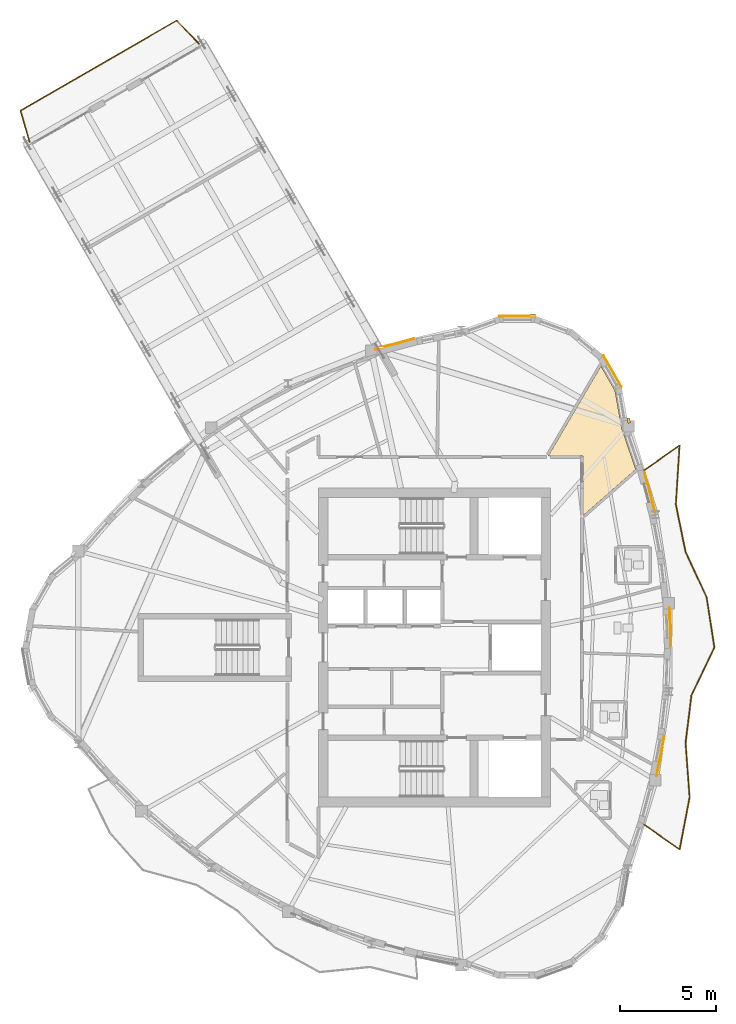
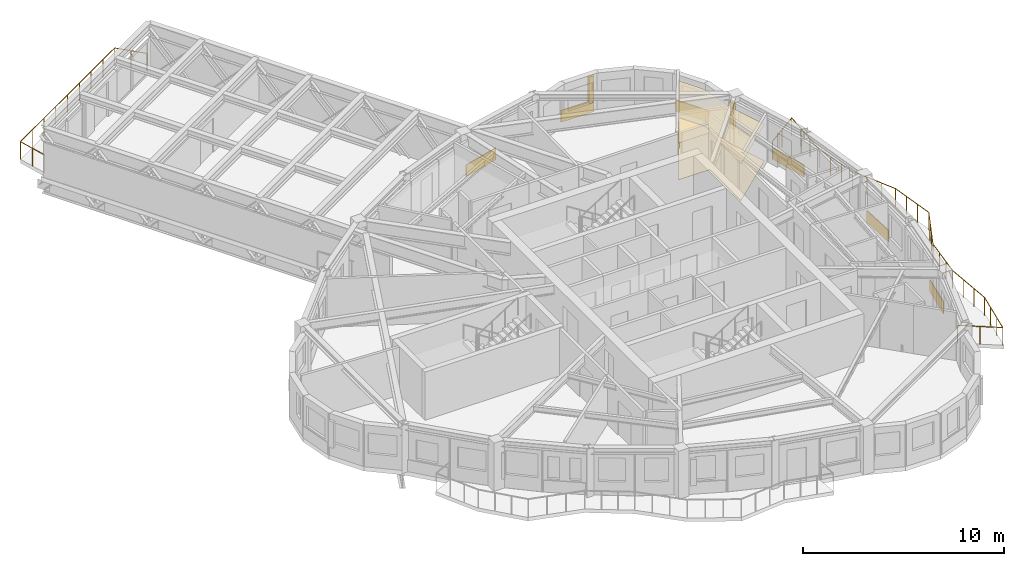
# One storey, part 13 of 14: 8 coverings, 2 railings, 2 shading devices.
"""IFC4 building model written with IfcOpenShell, lengths in metres."""

from ifc_helpers import new_model, si_unit, direction, frame, origin, origin_2d, place, context, subcontext, project, spatial, polyline, rectangle, circle, outline, extrude, source, transform, mapped, material, layer, layer_set, type_object, element, save


model = new_model("IFC4")

# Units and contexts
model_context = context("Model", 3, precision=1e-05, world=origin(), true_north=direction((0.0, 1.0)))
body_context = subcontext(model_context, "Body", "Model", "MODEL_VIEW")
ifc_project = project(units=[si_unit("LENGTHUNIT", "METRE"), si_unit("AREAUNIT", "SQUARE_METRE"), si_unit("VOLUMEUNIT", "CUBIC_METRE"), si_unit("PLANEANGLEUNIT", "RADIAN"), si_unit("MASSUNIT", "GRAM", prefix="KILO")], contexts=[model_context])

# Site, building, storey
site_placement = place(None, origin())
site = spatial("IfcSite", under=ifc_project, at=site_placement, CompositionType="ELEMENT")
building_placement = place(site_placement, origin())
building = spatial("IfcBuilding", under=site, at=building_placement, Name="Qafzar Sky-Pleat Residences", CompositionType="ELEMENT")
storey_placement = place(building_placement, frame((0.0, 0.0, 205.199951171875)))
storey = spatial("IfcBuildingStorey", under=building, at=storey_placement, Name="L61", CompositionType="ELEMENT", Elevation=205.199951171875)

# Coverings
ifc_material_1 = material(Name="Perforated acoustic gypsum board ceiling")
ifc_layer_1 = layer(ifc_material_1, 0.02001953125)
ifc_layer_set_1 = layer_set([ifc_layer_1], Name="Perforated acoustic gypsum board ceiling")
covering_type_1 = type_object("IfcCoveringType", Name="COV-CEIL-ACOUSTIC", PredefinedType="CEILING", material=ifc_layer_set_1)
covering_1_placement = place(storey_placement, frame((0.0, 0.0, 2.239990234375)))
element("IfcCovering", 1, at=covering_1_placement, inside=storey, type_object=covering_type_1, Name="L61 Communal Kitchen Acoustic Ceiling", PredefinedType="CEILING", context=body_context, shape_type="SweptSolid", body=[
    extrude(outline(polyline([(39.74951171875, 39.377685546875), (40.093017578125, 37.429931640625), (40.830810546875, 35.273193359375), (38.080078125, 32.860107421875), (38.080078125, 35.97998046875), (36.27490234375, 35.97998046875), (39.014892578125, 40.650390625), (39.74951171875, 39.377685546875)])), origin(), (0.0, 0.0, 1.0), 0.02001953125),
])
ifc_material_2 = material(Name="Honed porcelain and Riyadh stone tile flooring", Category="masonry")
ifc_layer_2 = layer(ifc_material_2, 0.02001953125)
ifc_layer_set_2 = layer_set([ifc_layer_2], Name="Honed porcelain and Riyadh stone tile flooring")
covering_type_2 = type_object("IfcCoveringType", Name="COV-FLR-PORCELAIN", PredefinedType="FLOORING", material=ifc_layer_set_2)
covering_2_placement = place(storey_placement, origin())
element("IfcCovering", 2, at=covering_2_placement, inside=storey, type_object=covering_type_2, Name="L61 Communal Kitchen Honed Stone Flooring", PredefinedType="FLOORING", context=body_context, shape_type="SweptSolid", body=[
    extrude(outline(polyline([(39.74951171875, 39.377685546875), (40.093017578125, 37.429931640625), (40.830810546875, 35.273193359375), (38.080078125, 32.860107421875), (38.080078125, 35.97998046875), (36.27490234375, 35.97998046875), (39.014892578125, 40.650390625), (39.74951171875, 39.377685546875)])), origin(), (0.0, 0.0, 1.0), 0.02001953125),
])

# Shading devices
ifc_material_3 = material(Name="Honed Riyadh limestone solar fin", Category="masonry")
ifc_layer_3 = layer(ifc_material_3, 0.139892578125)
ifc_layer_set_3 = layer_set([ifc_layer_3], Name="Honed Riyadh limestone solar fin")
shading_device_type = type_object("IfcShadingDeviceType", Name="SHD-FIN-STONE", PredefinedType="SHUTTER", material=ifc_layer_set_3)
shared_shape_1 = source(origin(), body_context, "Body", "SweptSolid", [
    extrude(rectangle(XDim=0.139892578125, YDim=0.280029296875, at=origin_2d()), origin(), (0.0, 0.0, 1.0), 1.60009765625),
])
for number, where, z_axis, x_axis, name in (
    (3, (40.466796875, 37.815673828125, 0.60009765625), (0.0, 0.0, 1.0), (0.984806040716, 0.173657888303, 0.0), "L61 Limestone Solar Fin 33"),
    (4, (35.45751953125, 43.29931640625, 0.60009765625), (0.0, 0.0, 1.0), (0.0, 1.0, 0.0), "L61 Limestone Solar Fin 37"),
):
    element("IfcShadingDevice", number, at=place(storey_placement, frame(where, z_axis=z_axis, x_axis=x_axis)), inside=storey, type_object=shading_device_type, Name=name, PredefinedType="SHUTTER", context=body_context, shape_type="MappedRepresentation", body=[
        mapped(shared_shape_1, transform((0.0, 0.0, 0.0), x_axis=(1.0, 0.0, 0.0), y_axis=(0.0, 1.0, 0.0), z_axis=(0.0, 0.0, 1.0), scale=1.0)),
    ])

# Coverings
ifc_material_4 = material(Name="Honed Riyadh Tuwaiq limestone cladding", Category="masonry")
ifc_layer_4 = layer(ifc_material_4, 0.044921875)
ifc_layer_set_4 = layer_set([ifc_layer_4], Name="Honed Riyadh Tuwaiq limestone cladding")
covering_type_3 = type_object("IfcCoveringType", Name="COV-CLAD-STONE", PredefinedType="CLADDING", material=ifc_layer_set_4)
shared_shape_2 = source(origin(), body_context, "Body", "SweptSolid", [
    extrude(rectangle(XDim=1.88134765625, YDim=0.044921875, at=origin_2d()), origin(), (0.0, 0.0, 1.0), 0.719970703125),
])
covering_3_placement = place(storey_placement, frame((34.652587890625, 43.25634765625, 0.02001953125), z_axis=(0.0, 0.0, 1.0), x_axis=(-1.0, 0.0, 0.0)))
element("IfcCovering", 5, at=covering_3_placement, inside=storey, type_object=covering_type_3, Name="L61 Riyadh Limestone Spandrel Cladding 37", PredefinedType="CLADDING", context=body_context, shape_type="MappedRepresentation", body=[
    mapped(shared_shape_2, transform((0.0, 0.0, 0.0), x_axis=(1.0, 0.0, 0.0), y_axis=(0.0, 1.0, 0.0), z_axis=(0.0, 0.0, 1.0), scale=1.0)),
])
shared_shape_3 = source(origin(), body_context, "Body", "SweptSolid", [
    extrude(rectangle(XDim=1.881103515625, YDim=0.044921875, at=origin_2d()), origin(), (0.0, 0.0, 1.0), 0.719970703125),
])
covering_4_placement = place(storey_placement, frame((39.6181640625, 40.389404296875, 0.02001953125), z_axis=(0.0, 0.0, 1.0), x_axis=(-0.499993018474, 0.866029434533, 0.0)))
element("IfcCovering", 6, at=covering_4_placement, inside=storey, type_object=covering_type_3, Name="L61 Riyadh Limestone Spandrel Cladding 34", PredefinedType="CLADDING", context=body_context, shape_type="MappedRepresentation", body=[
    mapped(shared_shape_3, transform((0.0, 0.0, 0.0), x_axis=(1.0, 0.0, 0.0), y_axis=(0.0, 1.0, 0.0), z_axis=(0.0, 0.0, 1.0), scale=1.0)),
])

# Railing
ifc_material_5 = material(Name="Laminated glass and bronze steel balustrade", Category="steel")
railing_type = type_object("IfcRailingType", Name="RAIL-BAL-1100", PredefinedType="BALUSTRADE", material=ifc_material_5)
shared_shape_4 = source(origin(), body_context, "Body", "SweptSolid", [
    extrude(circle(Radius=0.02392578125, at=origin_2d()), frame((0.0, 0.0, 1.076171875), z_axis=(0.820699148527, -0.571360575825, 0.0), x_axis=(0.571360575825, 0.820699148527, 0.0)), (0.0, 0.0, 1.0), 2.270751953125),
    extrude(circle(Radius=0.02392578125, at=origin_2d()), frame((1.863525390625, -1.29736328125, 1.076171875), z_axis=(0.187853347228, 0.982197088132, 0.0), x_axis=(-0.982197088132, 0.187853347228, 0.0)), (0.0, 0.0, 1.0), 2.76953125),
    extrude(circle(Radius=0.02392578125, at=origin_2d()), frame((2.3837890625, 1.4228515625, 1.076171875), z_axis=(-0.074134926402, 0.997248220198, 0.0), x_axis=(-0.997248220198, -0.074134926402, 0.0)), (0.0, 0.0, 1.0), 2.83544921875),
    extrude(circle(Radius=0.02392578125, at=origin_2d()), frame((2.173583984375, 4.25048828125, 1.076171875), z_axis=(0.122041359786, 0.992525015555, 0.0), x_axis=(-0.992525015555, 0.122041359786, 0.0)), (0.0, 0.0, 1.0), 2.502685546875),
    extrude(circle(Radius=0.02392578125, at=origin_2d()), frame((2.47900390625, 6.734375, 1.076171875), z_axis=(0.43262475459, 0.901574079994, 0.0), x_axis=(-0.901574079994, 0.43262475459, 0.0)), (0.0, 0.0, 1.0), 2.762451171875),
    extrude(circle(Radius=0.02392578125, at=origin_2d()), frame((3.674072265625, 9.224853515625, 1.076171875), z_axis=(-0.152930452608, 0.988236953703, 0.0), x_axis=(-0.988236953703, -0.152930452608, 0.0)), (0.0, 0.0, 1.0), 2.64697265625),
    extrude(circle(Radius=0.02392578125, at=origin_2d()), frame((3.269287109375, 11.840576171875, 1.076171875), z_axis=(-0.421307122225, 0.906918027587, 0.0), x_axis=(-0.906918027587, -0.421307122225, 0.0)), (0.0, 0.0, 1.0), 2.600830078125),
    extrude(circle(Radius=0.02392578125, at=origin_2d()), frame((2.173583984375, 14.19921875, 1.076171875), z_axis=(-0.200508172089, 0.979692029633, 0.0), x_axis=(-0.979692029633, -0.200508172089, 0.0)), (0.0, 0.0, 1.0), 2.521728515625),
    extrude(circle(Radius=0.02392578125, at=origin_2d()), frame((1.66796875, 16.669677734375, 1.076171875), z_axis=(0.06341829545, 0.997987033885, 0.0), x_axis=(-0.997987033885, 0.06341829545, 0.0)), (0.0, 0.0, 1.0), 3.08349609375),
    extrude(circle(Radius=0.02392578125, at=origin_2d()), frame((1.863525390625, 19.7470703125, 1.076171875), z_axis=(-0.820699148527, -0.571360575825, 0.0), x_axis=(0.571360575825, -0.820699148527, 0.0)), (0.0, 0.0, 1.0), 2.270751953125),
    extrude(circle(Radius=0.02099609375, at=origin_2d()), origin(), (0.0, 0.0, 1.0), 1.052001953125),
    extrude(circle(Radius=0.02099609375, at=origin_2d()), frame((0.931640625, -0.648681640625, 0.0)), (0.0, 0.0, 1.0), 1.052001953125),
    extrude(circle(Radius=0.02099609375, at=origin_2d()), frame((1.863525390625, -1.29736328125, 0.0)), (0.0, 0.0, 1.0), 1.052001953125),
    extrude(circle(Radius=0.02099609375, at=origin_2d()), frame((2.036865234375, -0.390625, 0.0)), (0.0, 0.0, 1.0), 1.052001953125),
    extrude(circle(Radius=0.02099609375, at=origin_2d()), frame((2.21044921875, 0.51611328125, 0.0)), (0.0, 0.0, 1.0), 1.052001953125),
    extrude(circle(Radius=0.02099609375, at=origin_2d()), frame((2.3837890625, 1.4228515625, 0.0)), (0.0, 0.0, 1.0), 1.052001953125),
    extrude(circle(Radius=0.02099609375, at=origin_2d()), frame((2.313720703125, 2.365478515625, 0.0)), (0.0, 0.0, 1.0), 1.052001953125),
    extrude(circle(Radius=0.02099609375, at=origin_2d()), frame((2.24365234375, 3.307861328125, 0.0)), (0.0, 0.0, 1.0), 1.052001953125),
    extrude(circle(Radius=0.02099609375, at=origin_2d()), frame((2.173583984375, 4.25048828125, 0.0)), (0.0, 0.0, 1.0), 1.052001953125),
    extrude(circle(Radius=0.02099609375, at=origin_2d()), frame((2.275390625, 5.078369140625, 0.0)), (0.0, 0.0, 1.0), 1.052001953125),
    extrude(circle(Radius=0.02099609375, at=origin_2d()), frame((2.377197265625, 5.906494140625, 0.0)), (0.0, 0.0, 1.0), 1.052001953125),
    extrude(circle(Radius=0.02099609375, at=origin_2d()), frame((2.47900390625, 6.734375, 0.0)), (0.0, 0.0, 1.0), 1.052001953125),
    extrude(circle(Radius=0.02099609375, at=origin_2d()), frame((2.87744140625, 7.564453125, 0.0)), (0.0, 0.0, 1.0), 1.052001953125),
    extrude(circle(Radius=0.02099609375, at=origin_2d()), frame((3.275634765625, 8.394775390625, 0.0)), (0.0, 0.0, 1.0), 1.052001953125),
    extrude(circle(Radius=0.02099609375, at=origin_2d()), frame((3.674072265625, 9.224853515625, 0.0)), (0.0, 0.0, 1.0), 1.052001953125),
    extrude(circle(Radius=0.02099609375, at=origin_2d()), frame((3.5390625, 10.0966796875, 0.0)), (0.0, 0.0, 1.0), 1.052001953125),
    extrude(circle(Radius=0.02099609375, at=origin_2d()), frame((3.404296875, 10.96875, 0.0)), (0.0, 0.0, 1.0), 1.052001953125),
    extrude(circle(Radius=0.02099609375, at=origin_2d()), frame((3.269287109375, 11.840576171875, 0.0)), (0.0, 0.0, 1.0), 1.052001953125),
    extrude(circle(Radius=0.02099609375, at=origin_2d()), frame((2.904052734375, 12.626708984375, 0.0)), (0.0, 0.0, 1.0), 1.052001953125),
    extrude(circle(Radius=0.02099609375, at=origin_2d()), frame((2.538818359375, 13.4130859375, 0.0)), (0.0, 0.0, 1.0), 1.052001953125),
    extrude(circle(Radius=0.02099609375, at=origin_2d()), frame((2.173583984375, 14.19921875, 0.0)), (0.0, 0.0, 1.0), 1.052001953125),
    extrude(circle(Radius=0.02099609375, at=origin_2d()), frame((2.005126953125, 15.022705078125, 0.0)), (0.0, 0.0, 1.0), 1.052001953125),
    extrude(circle(Radius=0.02099609375, at=origin_2d()), frame((1.83642578125, 15.84619140625, 0.0)), (0.0, 0.0, 1.0), 1.052001953125),
    extrude(circle(Radius=0.02099609375, at=origin_2d()), frame((1.66796875, 16.669677734375, 0.0)), (0.0, 0.0, 1.0), 1.052001953125),
    extrude(circle(Radius=0.02099609375, at=origin_2d()), frame((1.733154296875, 17.695556640625, 0.0)), (0.0, 0.0, 1.0), 1.052001953125),
    extrude(circle(Radius=0.02099609375, at=origin_2d()), frame((1.79833984375, 18.72119140625, 0.0)), (0.0, 0.0, 1.0), 1.052001953125),
    extrude(circle(Radius=0.02099609375, at=origin_2d()), frame((1.863525390625, 19.7470703125, 0.0)), (0.0, 0.0, 1.0), 1.052001953125),
    extrude(circle(Radius=0.02099609375, at=origin_2d()), frame((0.931640625, 19.098388671875, 0.0)), (0.0, 0.0, 1.0), 1.052001953125),
    extrude(circle(Radius=0.02099609375, at=origin_2d()), frame((0.0, 18.44970703125, 0.0)), (0.0, 0.0, 1.0), 1.052001953125),
])
railing_1_placement = place(storey_placement, frame((41.25048828125, 16.775146484375, 0.0)))
element("IfcRailing", 7, at=railing_1_placement, inside=storey, type_object=railing_type, Name="L61 Pleated Balcony 1 Balustrade", PredefinedType="BALUSTRADE", context=body_context, shape_type="MappedRepresentation", body=[
    mapped(shared_shape_4, transform((0.0, 0.0, 0.0), x_axis=(1.0, 0.0, 0.0), y_axis=(0.0, 1.0, 0.0), z_axis=(0.0, 0.0, 1.0), scale=1.0)),
])

# Coverings
shared_shape_5 = source(origin(), body_context, "Body", "SweptSolid", [
    extrude(rectangle(XDim=2.064453125, YDim=0.044921875, at=origin_2d()), origin(), (0.0, 0.0, 1.0), 0.719970703125),
])
covering_5_placement = place(storey_placement, frame((42.106201171875, 20.297607421875, 0.02001953125), z_axis=(0.0, 0.0, 1.0), x_axis=(0.186683368003, 0.982420134215, 0.0)))
element("IfcCovering", 8, at=covering_5_placement, inside=storey, type_object=covering_type_3, Name="L61 Riyadh Limestone Spandrel Cladding 25", PredefinedType="CLADDING", context=body_context, shape_type="MappedRepresentation", body=[
    mapped(shared_shape_5, transform((0.0, 0.0, 0.0), x_axis=(1.0, 0.0, 0.0), y_axis=(0.0, 1.0, 0.0), z_axis=(0.0, 0.0, 1.0), scale=1.0)),
])
shared_shape_6 = source(origin(), body_context, "Body", "SweptSolid", [
    extrude(rectangle(XDim=2.02880859375, YDim=0.044921875, at=origin_2d()), origin(), (0.0, 0.0, 1.0), 0.719970703125),
])
covering_6_placement = place(storey_placement, frame((42.622314453125, 27.089111328125, 0.02001953125), z_axis=(0.0, 0.0, 1.0), x_axis=(-0.038017422294, 0.999277076492, 0.0)))
element("IfcCovering", 9, at=covering_6_placement, inside=storey, type_object=covering_type_3, Name="L61 Riyadh Limestone Spandrel Cladding 28", PredefinedType="CLADDING", context=body_context, shape_type="MappedRepresentation", body=[
    mapped(shared_shape_6, transform((0.0, 0.0, 0.0), x_axis=(1.0, 0.0, 0.0), y_axis=(0.0, 1.0, 0.0), z_axis=(0.0, 0.0, 1.0), scale=1.0)),
])
shared_shape_7 = source(origin(), body_context, "Body", "SweptSolid", [
    extrude(rectangle(XDim=2.162353515625, YDim=0.044921875, at=origin_2d()), origin(), (0.0, 0.0, 1.0), 0.719970703125),
])
covering_7_placement = place(storey_placement, frame((41.560791015625, 34.099365234375, 0.02001953125), z_axis=(0.0, 0.0, 1.0), x_axis=(-0.257051236723, 0.966397776125, 0.0)))
element("IfcCovering", 10, at=covering_7_placement, inside=storey, type_object=covering_type_3, Name="L61 Riyadh Limestone Spandrel Cladding 31", PredefinedType="CLADDING", context=body_context, shape_type="MappedRepresentation", body=[
    mapped(shared_shape_7, transform((0.0, 0.0, 0.0), x_axis=(1.0, 0.0, 0.0), y_axis=(0.0, 1.0, 0.0), z_axis=(0.0, 0.0, 1.0), scale=1.0)),
])
shared_shape_8 = source(origin(), body_context, "Body", "SweptSolid", [
    extrude(rectangle(XDim=2.099365234375, YDim=0.044921875, at=origin_2d()), origin(), (0.0, 0.0, 1.0), 0.719970703125),
])
covering_8_placement = place(storey_placement, frame((28.267578125, 41.802978515625, 0.02001953125), z_axis=(0.0, 0.0, 1.0), x_axis=(-0.965457881236, -0.260559167101, 0.0)))
element("IfcCovering", 11, at=covering_8_placement, inside=storey, type_object=covering_type_3, Name="L61 Riyadh Limestone Spandrel Cladding 40", PredefinedType="CLADDING", context=body_context, shape_type="MappedRepresentation", body=[
    mapped(shared_shape_8, transform((0.0, 0.0, 0.0), x_axis=(1.0, 0.0, 0.0), y_axis=(0.0, 1.0, 0.0), z_axis=(0.0, 0.0, 1.0), scale=1.0)),
])

# Railing
shared_shape_9 = source(origin(), body_context, "Body", "SweptSolid", [
    extrude(circle(Radius=0.02392578125, at=origin_2d()), frame((0.0, 0.0, 1.076171875), z_axis=(-0.691489373031, 0.722386632618, 0.0), x_axis=(-0.722386632618, -0.691489373031, 0.0)), (0.0, 0.0, 1.0), 1.68310546875),
    extrude(circle(Radius=0.02392578125, at=origin_2d()), frame((-1.163818359375, 1.2158203125, 1.076171875), z_axis=(-0.866027286158, -0.499996739618, 0.0), x_axis=(0.499996739618, -0.866027286158, 0.0)), (0.0, 0.0, 1.0), 9.39990234375),
    extrude(circle(Radius=0.02392578125, at=origin_2d()), frame((-9.304443359375, -3.484130859375, 1.076171875), z_axis=(0.279793912061, -0.960060084981, 0.0), x_axis=(0.960060084981, 0.279793912061, 0.0)), (0.0, 0.0, 1.0), 1.68310546875),
    extrude(circle(Radius=0.02099609375, at=origin_2d()), origin(), (0.0, 0.0, 1.0), 1.052001953125),
    extrude(circle(Radius=0.02099609375, at=origin_2d()), frame((-0.58203125, 0.60791015625, 0.0)), (0.0, 0.0, 1.0), 1.052001953125),
    extrude(circle(Radius=0.02099609375, at=origin_2d()), frame((-1.163818359375, 1.2158203125, 0.0)), (0.0, 0.0, 1.0), 1.052001953125),
    extrude(circle(Radius=0.02099609375, at=origin_2d()), frame((-2.181396484375, 0.62841796875, 0.0)), (0.0, 0.0, 1.0), 1.052001953125),
    extrude(circle(Radius=0.02099609375, at=origin_2d()), frame((-3.198974609375, 0.040771484375, 0.0)), (0.0, 0.0, 1.0), 1.052001953125),
    extrude(circle(Radius=0.02099609375, at=origin_2d()), frame((-4.216552734375, -0.546630859375, 0.0)), (0.0, 0.0, 1.0), 1.052001953125),
    extrude(circle(Radius=0.02099609375, at=origin_2d()), frame((-5.234130859375, -1.13427734375, 0.0)), (0.0, 0.0, 1.0), 1.052001953125),
    extrude(circle(Radius=0.02099609375, at=origin_2d()), frame((-6.251708984375, -1.7216796875, 0.0)), (0.0, 0.0, 1.0), 1.052001953125),
    extrude(circle(Radius=0.02099609375, at=origin_2d()), frame((-7.269287109375, -2.30908203125, 0.0)), (0.0, 0.0, 1.0), 1.052001953125),
    extrude(circle(Radius=0.02099609375, at=origin_2d()), frame((-8.286865234375, -2.896728515625, 0.0)), (0.0, 0.0, 1.0), 1.052001953125),
    extrude(circle(Radius=0.02099609375, at=origin_2d()), frame((-9.304443359375, -3.484130859375, 0.0)), (0.0, 0.0, 1.0), 1.052001953125),
    extrude(circle(Radius=0.02099609375, at=origin_2d()), frame((-9.06884765625, -4.2919921875, 0.0)), (0.0, 0.0, 1.0), 1.052001953125),
    extrude(circle(Radius=0.02099609375, at=origin_2d()), frame((-8.83349609375, -5.10009765625, 0.0)), (0.0, 0.0, 1.0), 1.052001953125),
])
railing_2_placement = place(storey_placement, frame((18.084716796875, 57.444091796875, 0.0)))
element("IfcRailing", 12, at=railing_2_placement, inside=storey, type_object=railing_type, Name="L61 SB-5 Tip Observation Balcony Balustrade", PredefinedType="BALUSTRADE", context=body_context, shape_type="MappedRepresentation", body=[
    mapped(shared_shape_9, transform((0.0, 0.0, 0.0), x_axis=(1.0, 0.0, 0.0), y_axis=(0.0, 1.0, 0.0), z_axis=(0.0, 0.0, 1.0), scale=1.0)),
])

save(model, "model.ifc")
